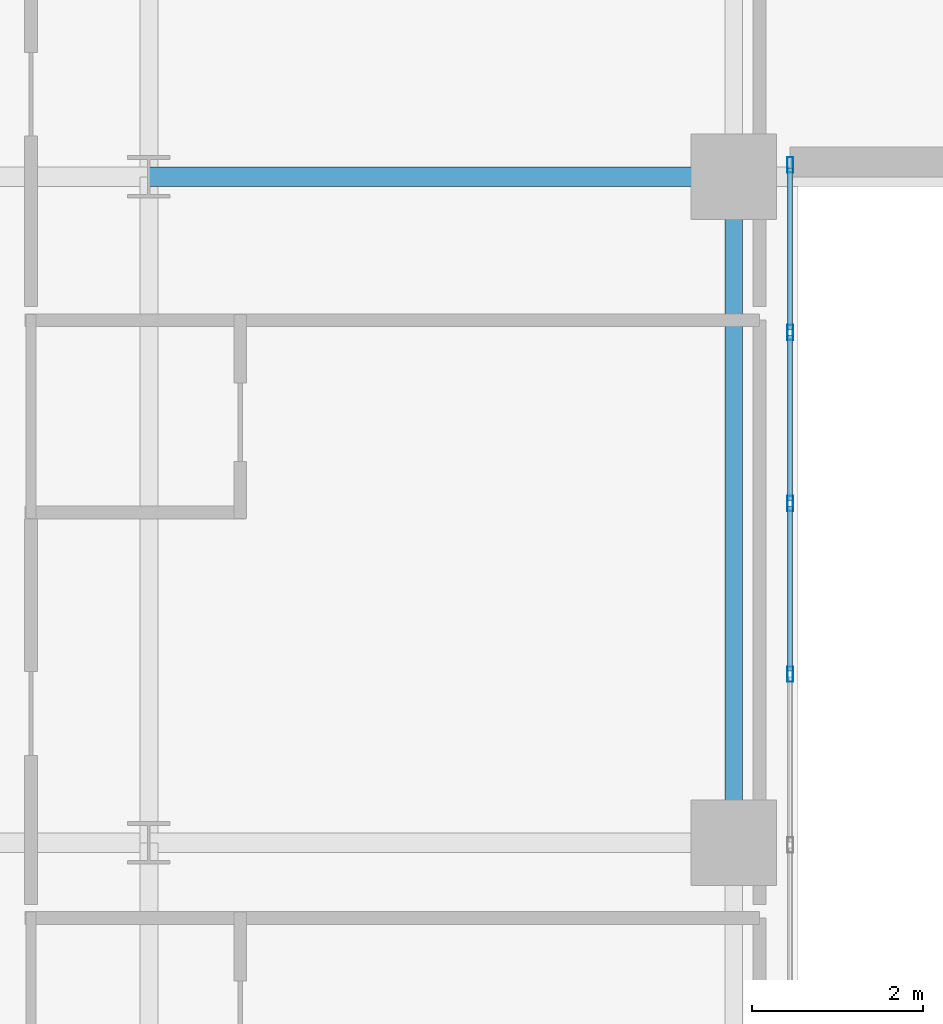
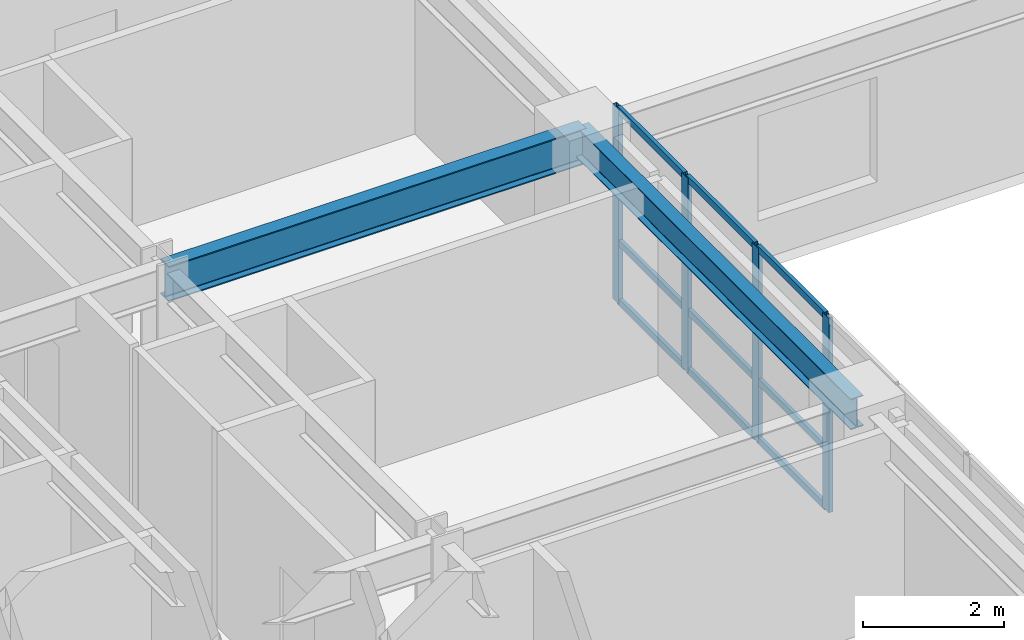
# One storey, part 3 of 17: 13 members, 2 beams, 1 element without a shape of its own.
"""IFC4 building model written with IfcOpenShell, lengths in metres."""

from ifc_helpers import new_model, si_unit, direction, frame, origin, origin_2d, place, context, subcontext, project, spatial, hollow_rectangle, i_section, extrude, source, transform, mapped, material, layer, layer_set, material_profile, profile_set, type_object, type_shapes, element, aggregate, save


model = new_model("IFC4")

# Units and contexts
model_context = context("Model", 3, precision=1e-05, world=origin(), true_north=direction((0.0, 1.0)))
body_context = subcontext(model_context, "Body", "Model", "MODEL_VIEW")
ifc_project = project(units=[si_unit("LENGTHUNIT", "METRE"), si_unit("AREAUNIT", "SQUARE_METRE"), si_unit("VOLUMEUNIT", "CUBIC_METRE"), si_unit("PLANEANGLEUNIT", "RADIAN"), si_unit("MASSUNIT", "GRAM", prefix="KILO")], contexts=[model_context])

# Site, building, storey
site_placement = place(None, origin())
site = spatial("IfcSite", under=ifc_project, at=site_placement, CompositionType="ELEMENT")
building_placement = place(site_placement, origin())
building = spatial("IfcBuilding", under=site, at=building_placement, Name="Tolvann Quenvar Hotel", CompositionType="ELEMENT")
storey_placement = place(building_placement, frame((0.0, 0.0, 35.550048828125)))
storey = spatial("IfcBuildingStorey", under=building, at=storey_placement, Name="L07", CompositionType="ELEMENT", Elevation=35.550048828125)

# Beams
ifc_material_1 = material(Name="Steel Grade 350", Category="steel")
ifc_material_profile_1 = material_profile(ifc_material_1, i_section(OverallWidth=0.22900390625, OverallDepth=0.612060546875, WebThickness=0.011962890625, FlangeThickness=0.01953125, FilletRadius=0.013916015625, at=origin_2d()), Name="610UB125")
ifc_profile_set_1 = profile_set([ifc_material_profile_1], Name="Steel Grade 350")
beam_type_1 = type_object("IfcBeamType", Name="BM_GIRD_610UB125", PredefinedType="BEAM", material=ifc_profile_set_1)
shared_shape_1 = source(origin(), body_context, "Body", "SweptSolid", [
    extrude(i_section(OverallWidth=0.22900390625, OverallDepth=0.612060546875, WebThickness=0.011962890625, FlangeThickness=0.01953125, FilletRadius=0.013916015625, at=origin_2d()), origin(), (0.0, 0.0, 1.0), 6.85009765625),
])
type_shapes(beam_type_1, [shared_shape_1])
beam_1_placement = place(storey_placement, frame((15.199951171875, 16.0, 3.06396484375), z_axis=(1.0, 0.0, 0.0), x_axis=(0.0, 1.0, 0.0)))
element("IfcBeam", 1, at=beam_1_placement, inside=storey, type_object=beam_type_1, Name="BM-L07-EW-4-D4-E4", PredefinedType="BEAM", context=body_context, shape_type="MappedRepresentation", body=[
    mapped(shared_shape_1, transform((0.0, 0.0, 0.0), x_axis=(1.0, 0.0, 0.0), y_axis=(0.0, 1.0, 0.0), z_axis=(0.0, 0.0, 1.0), scale=1.0)),
])
ifc_material_profile_2 = material_profile(ifc_material_1, i_section(OverallWidth=0.208984375, OverallDepth=0.532958984375, WebThickness=0.01025390625, FlangeThickness=0.015625, FilletRadius=0.013916015625, at=origin_2d()), Name="530UB92")
ifc_profile_set_2 = profile_set([ifc_material_profile_2], Name="Steel Grade 350")
beam_type_2 = type_object("IfcBeamType", Name="BM_GIRD_530UB92", PredefinedType="BEAM", material=ifc_profile_set_2)
shared_shape_2 = source(origin(), body_context, "Body", "SweptSolid", [
    extrude(i_section(OverallWidth=0.208984375, OverallDepth=0.532958984375, WebThickness=0.01025390625, FlangeThickness=0.015625, FilletRadius=0.013916015625, at=origin_2d()), origin(), (0.0, 0.0, 1.0), 7.800048828125),
])
type_shapes(beam_type_2, [shared_shape_2])
beam_2_placement = place(storey_placement, frame((22.050048828125, 8.199951171875, 3.103515625), z_axis=(0.0, 1.0, 0.0), x_axis=(-1.0, 0.0, 0.0)))
element("IfcBeam", 2, at=beam_2_placement, inside=storey, type_object=beam_type_2, Name="BM-L07-NS-E3-E4", PredefinedType="BEAM", context=body_context, shape_type="MappedRepresentation", body=[
    mapped(shared_shape_2, transform((0.0, 0.0, 0.0), x_axis=(1.0, 0.0, 0.0), y_axis=(0.0, 1.0, 0.0), z_axis=(0.0, 0.0, 1.0), scale=1.0)),
])

# Curtain wall, members
ifc_material_2 = material(Name="Thermally broken anodised architectural aluminium 6063-T6 and laminated low-E glass", Category="aluminium")
ifc_layer = layer(ifc_material_2, 0.179931640625)
ifc_layer_set = layer_set([ifc_layer], Name="Thermally broken anodised architectural aluminium 6063-T6 and laminated low-E glass")
curtain_wall_type = type_object("IfcCurtainWallType", Name="CW_SYS_SLOT_03", PredefinedType="USERDEFINED", material=ifc_layer_set)
curtain_wall_placement = place(storey_placement, origin())
curtain_wall = element("IfcCurtainWall", 3, at=curtain_wall_placement, inside=storey, type_object=curtain_wall_type, Name="Curtain Wall CW-SLOT-03 (CWR-L07-E05)", ObjectType="UNITISED CURTAIN WALL", PredefinedType="USERDEFINED")
ifc_material_3 = material(Name="Anodised architectural aluminium 6063-T6 framing", Category="aluminium")
ifc_material_profile_3 = material_profile(ifc_material_3, hollow_rectangle(XDim=0.06005859375, YDim=0.1201171875, WallThickness=0.00341796875, at=origin_2d()), Name="120x60x3.5RHS")
ifc_profile_set_3 = profile_set([ifc_material_profile_3], Name="Anodised architectural aluminium 6063-T6 framing")
member_type_1 = type_object("IfcMemberType", Name="CW_TRAN_120x60", PredefinedType="USERDEFINED", material=ifc_profile_set_3)
shared_shape_3 = source(origin(), body_context, "Body", "SweptSolid", [
    extrude(hollow_rectangle(XDim=0.06005859375, YDim=0.1201171875, WallThickness=0.00341796875, at=origin_2d()), origin(), (0.0, 0.0, 1.0), 1.929931640625),
])
member_1_placement = place(storey_placement, frame((22.7099609375, 10.2099609375, 0.030029296875), z_axis=(0.0, 1.0, 0.0), x_axis=(-1.0, 0.0, 0.0)))
member_1 = element("IfcMember", 4, at=member_1_placement, type_object=member_type_1, Name="CW-SLOT-03 transom 6.1", ObjectType="TRANSOM", PredefinedType="USERDEFINED", context=body_context, shape_type="MappedRepresentation", body=[
    mapped(shared_shape_3, transform((0.0, 0.0, 0.0), x_axis=(1.0, 0.0, 0.0), y_axis=(0.0, 1.0, 0.0), z_axis=(0.0, 0.0, 1.0), scale=1.0)),
])
member_2_placement = place(storey_placement, frame((22.7099609375, 10.2099609375, 1.050048828125), z_axis=(0.0, 1.0, 0.0), x_axis=(-1.0, 0.0, 0.0)))
member_2 = element("IfcMember", 5, at=member_2_placement, type_object=member_type_1, Name="CW-SLOT-03 transom 6.2", ObjectType="TRANSOM", PredefinedType="USERDEFINED", context=body_context, shape_type="MappedRepresentation", body=[
    mapped(shared_shape_3, transform((0.0, 0.0, 0.0), x_axis=(1.0, 0.0, 0.0), y_axis=(0.0, 1.0, 0.0), z_axis=(0.0, 0.0, 1.0), scale=1.0)),
])
member_3_placement = place(storey_placement, frame((22.7099609375, 10.2099609375, 3.33984375), z_axis=(0.0, 1.0, 0.0), x_axis=(-1.0, 0.0, 0.0)))
member_3 = element("IfcMember", 6, at=member_3_placement, type_object=member_type_1, Name="CW-SLOT-03 transom 6.3", ObjectType="TRANSOM", PredefinedType="USERDEFINED", context=body_context, shape_type="MappedRepresentation", body=[
    mapped(shared_shape_3, transform((0.0, 0.0, 0.0), x_axis=(1.0, 0.0, 0.0), y_axis=(0.0, 1.0, 0.0), z_axis=(0.0, 0.0, 1.0), scale=1.0)),
])
member_4_placement = place(storey_placement, frame((22.7099609375, 12.2099609375, 0.030029296875), z_axis=(0.0, 1.0, 0.0), x_axis=(-1.0, 0.0, 0.0)))
member_4 = element("IfcMember", 7, at=member_4_placement, type_object=member_type_1, Name="CW-SLOT-03 transom 7.1", ObjectType="TRANSOM", PredefinedType="USERDEFINED", context=body_context, shape_type="MappedRepresentation", body=[
    mapped(shared_shape_3, transform((0.0, 0.0, 0.0), x_axis=(1.0, 0.0, 0.0), y_axis=(0.0, 1.0, 0.0), z_axis=(0.0, 0.0, 1.0), scale=1.0)),
])
member_5_placement = place(storey_placement, frame((22.7099609375, 12.2099609375, 1.050048828125), z_axis=(0.0, 1.0, 0.0), x_axis=(-1.0, 0.0, 0.0)))
member_5 = element("IfcMember", 8, at=member_5_placement, type_object=member_type_1, Name="CW-SLOT-03 transom 7.2", ObjectType="TRANSOM", PredefinedType="USERDEFINED", context=body_context, shape_type="MappedRepresentation", body=[
    mapped(shared_shape_3, transform((0.0, 0.0, 0.0), x_axis=(1.0, 0.0, 0.0), y_axis=(0.0, 1.0, 0.0), z_axis=(0.0, 0.0, 1.0), scale=1.0)),
])
member_6_placement = place(storey_placement, frame((22.7099609375, 12.2099609375, 3.33984375), z_axis=(0.0, 1.0, 0.0), x_axis=(-1.0, 0.0, 0.0)))
member_6 = element("IfcMember", 9, at=member_6_placement, type_object=member_type_1, Name="CW-SLOT-03 transom 7.3", ObjectType="TRANSOM", PredefinedType="USERDEFINED", context=body_context, shape_type="MappedRepresentation", body=[
    mapped(shared_shape_3, transform((0.0, 0.0, 0.0), x_axis=(1.0, 0.0, 0.0), y_axis=(0.0, 1.0, 0.0), z_axis=(0.0, 0.0, 1.0), scale=1.0)),
])
shared_shape_4 = source(origin(), body_context, "Body", "SweptSolid", [
    extrude(hollow_rectangle(XDim=0.06005859375, YDim=0.1201171875, WallThickness=0.00341796875, at=origin_2d()), origin(), (0.0, 0.0, 1.0), 1.89501953125),
])
type_shapes(member_type_1, [shared_shape_3, shared_shape_4])
member_7_placement = place(storey_placement, frame((22.7099609375, 14.2099609375, 0.030029296875), z_axis=(0.0, 1.0, 0.0), x_axis=(-1.0, 0.0, 0.0)))
member_7 = element("IfcMember", 10, at=member_7_placement, type_object=member_type_1, Name="CW-SLOT-03 transom 8.1", ObjectType="TRANSOM", PredefinedType="USERDEFINED", context=body_context, shape_type="MappedRepresentation", body=[
    mapped(shared_shape_4, transform((0.0, 0.0, 0.0), x_axis=(1.0, 0.0, 0.0), y_axis=(0.0, 1.0, 0.0), z_axis=(0.0, 0.0, 1.0), scale=1.0)),
])
member_8_placement = place(storey_placement, frame((22.7099609375, 14.2099609375, 1.050048828125), z_axis=(0.0, 1.0, 0.0), x_axis=(-1.0, 0.0, 0.0)))
member_8 = element("IfcMember", 11, at=member_8_placement, type_object=member_type_1, Name="CW-SLOT-03 transom 8.2", ObjectType="TRANSOM", PredefinedType="USERDEFINED", context=body_context, shape_type="MappedRepresentation", body=[
    mapped(shared_shape_4, transform((0.0, 0.0, 0.0), x_axis=(1.0, 0.0, 0.0), y_axis=(0.0, 1.0, 0.0), z_axis=(0.0, 0.0, 1.0), scale=1.0)),
])
member_9_placement = place(storey_placement, frame((22.7099609375, 14.2099609375, 3.33984375), z_axis=(0.0, 1.0, 0.0), x_axis=(-1.0, 0.0, 0.0)))
member_9 = element("IfcMember", 12, at=member_9_placement, type_object=member_type_1, Name="CW-SLOT-03 transom 8.3", ObjectType="TRANSOM", PredefinedType="USERDEFINED", context=body_context, shape_type="MappedRepresentation", body=[
    mapped(shared_shape_4, transform((0.0, 0.0, 0.0), x_axis=(1.0, 0.0, 0.0), y_axis=(0.0, 1.0, 0.0), z_axis=(0.0, 0.0, 1.0), scale=1.0)),
])
ifc_material_profile_4 = material_profile(ifc_material_3, hollow_rectangle(XDim=0.070068359375, YDim=0.179931640625, WallThickness=0.00390625, at=origin_2d()), Name="180x70x4RHS")
ifc_profile_set_4 = profile_set([ifc_material_profile_4], Name="Anodised architectural aluminium 6063-T6 framing")
member_type_2 = type_object("IfcMemberType", Name="CW_MULL_180x70", PredefinedType="MULLION", material=ifc_profile_set_4)
shared_shape_5 = source(origin(), body_context, "Body", "SweptSolid", [
    extrude(hollow_rectangle(XDim=0.070068359375, YDim=0.179931640625, WallThickness=0.00390625, at=origin_2d()), origin(), (0.0, 0.0, 1.0), 3.369873046875),
])
type_shapes(member_type_2, [shared_shape_5])
member_10_placement = place(storey_placement, frame((22.7099609375, 10.175048828125, 0.0), z_axis=(0.0, 0.0, 1.0), x_axis=(-1.0, 0.0, 0.0)))
member_10 = element("IfcMember", 13, at=member_10_placement, type_object=member_type_2, Name="CW-SLOT-03 mullion 6", PredefinedType="MULLION", context=body_context, shape_type="MappedRepresentation", body=[
    mapped(shared_shape_5, transform((0.0, 0.0, 0.0), x_axis=(1.0, 0.0, 0.0), y_axis=(0.0, 1.0, 0.0), z_axis=(0.0, 0.0, 1.0), scale=1.0)),
])
member_11_placement = place(storey_placement, frame((22.7099609375, 12.175048828125, 0.0), z_axis=(0.0, 0.0, 1.0), x_axis=(-1.0, 0.0, 0.0)))
member_11 = element("IfcMember", 14, at=member_11_placement, type_object=member_type_2, Name="CW-SLOT-03 mullion 7", PredefinedType="MULLION", context=body_context, shape_type="MappedRepresentation", body=[
    mapped(shared_shape_5, transform((0.0, 0.0, 0.0), x_axis=(1.0, 0.0, 0.0), y_axis=(0.0, 1.0, 0.0), z_axis=(0.0, 0.0, 1.0), scale=1.0)),
])
member_12_placement = place(storey_placement, frame((22.7099609375, 14.175048828125, 0.0), z_axis=(0.0, 0.0, 1.0), x_axis=(-1.0, 0.0, 0.0)))
member_12 = element("IfcMember", 15, at=member_12_placement, type_object=member_type_2, Name="CW-SLOT-03 mullion 8", PredefinedType="MULLION", context=body_context, shape_type="MappedRepresentation", body=[
    mapped(shared_shape_5, transform((0.0, 0.0, 0.0), x_axis=(1.0, 0.0, 0.0), y_axis=(0.0, 1.0, 0.0), z_axis=(0.0, 0.0, 1.0), scale=1.0)),
])
member_13_placement = place(storey_placement, frame((22.7099609375, 16.139892578125, 0.0), z_axis=(0.0, 0.0, 1.0), x_axis=(-1.0, 0.0, 0.0)))
member_13 = element("IfcMember", 16, at=member_13_placement, type_object=member_type_2, Name="CW-SLOT-03 mullion 9", PredefinedType="MULLION", context=body_context, shape_type="MappedRepresentation", body=[
    mapped(shared_shape_5, transform((0.0, 0.0, 0.0), x_axis=(1.0, 0.0, 0.0), y_axis=(0.0, 1.0, 0.0), z_axis=(0.0, 0.0, 1.0), scale=1.0)),
])
aggregate(curtain_wall, [member_10, member_11, member_12, member_13, member_1, member_2, member_3, member_4, member_5, member_6, member_7, member_8, member_9])

save(model, "model.ifc")
